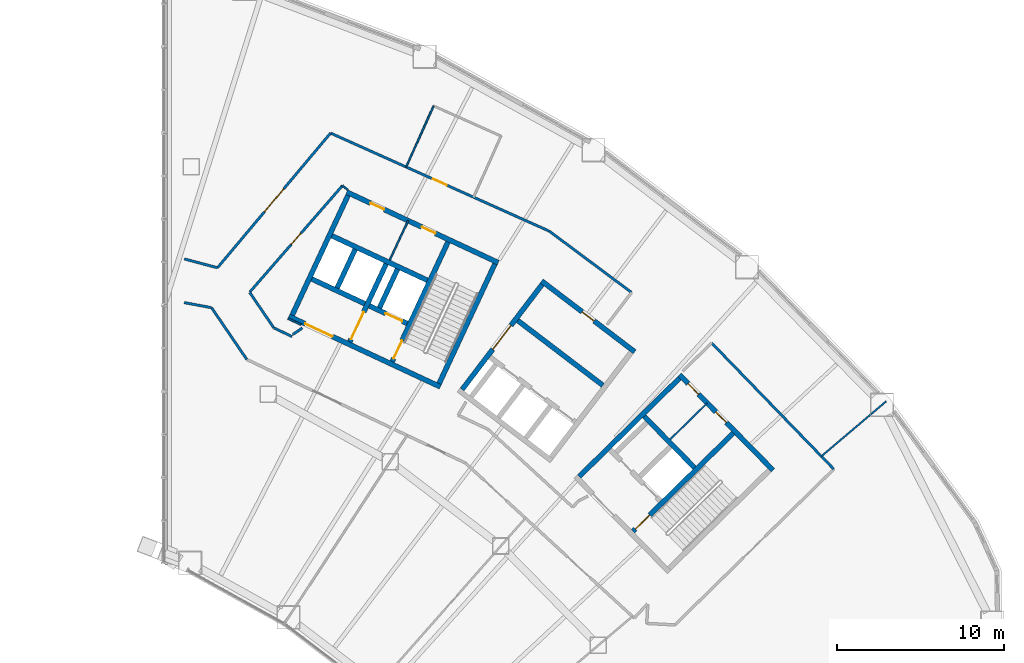
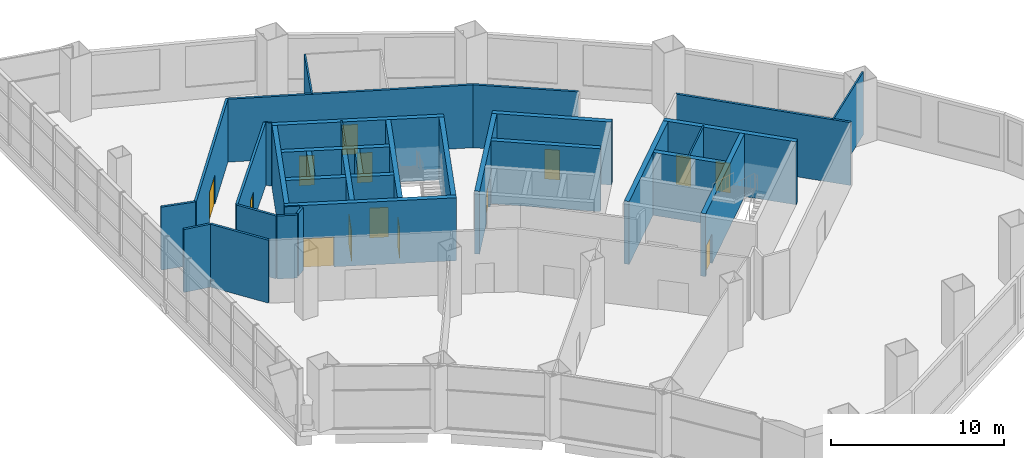
# One storey, part 22 of 26: 35 walls, 14 doors, 14 openings.
"""IFC4 building model written with IfcOpenShell, lengths in metres."""

from ifc_helpers import new_model, si_unit, direction, frame, frame_2d, origin, place, context, subcontext, project, spatial, rectangle, extrude, material, layer, layer_set, type_object, element, fill, save


model = new_model("IFC4")

# Units and contexts
model_context = context("Model", 3, precision=1e-05, world=origin(), true_north=direction((0.0, 1.0)))
body_context = subcontext(model_context, "Body", "Model", "MODEL_VIEW")
ifc_project = project(units=[si_unit("LENGTHUNIT", "METRE"), si_unit("AREAUNIT", "SQUARE_METRE"), si_unit("VOLUMEUNIT", "CUBIC_METRE"), si_unit("PLANEANGLEUNIT", "RADIAN"), si_unit("MASSUNIT", "GRAM", prefix="KILO")], contexts=[model_context])

# Site, building, storey
site_placement = place(None, origin())
site = spatial("IfcSite", under=ifc_project, at=site_placement, CompositionType="ELEMENT")
building_placement = place(site_placement, origin())
building = spatial("IfcBuilding", under=site, at=building_placement, Name="Tuul Gate Civic Tower", CompositionType="ELEMENT")
storey_placement = place(building_placement, frame((0.0, 0.0, 7.5)))
storey = spatial("IfcBuildingStorey", under=building, at=storey_placement, Name="Level 01", CompositionType="ELEMENT", Elevation=7.5)

# Wall
ifc_material_1 = material(Name="Concrete C50/60", Category="concrete")
ifc_layer_1 = layer(ifc_material_1, 0.300048828125)
ifc_layer_set_1 = layer_set([ifc_layer_1], Name="Concrete C50/60")
wall_type_1 = type_object("IfcWallType", Name="Core wall C50/60", PredefinedType="SHEAR", material=ifc_layer_set_1)
wall_1_placement = place(storey_placement, frame((49.737060546875, -12.0849609375, 0.0), z_axis=(0.0, 0.0, 1.0), x_axis=(-0.700002721075, 0.714140175657, 0.0)))
element("IfcWall", 1, at=wall_1_placement, inside=storey, type_object=wall_type_1, Name="Core wall", PredefinedType="SHEAR", context=body_context, shape_type="SweptSolid", body=[
    extrude(rectangle(XDim=4.300048828125, YDim=0.300048828125, at=frame_2d((2.14990234375, 0.0))), origin(), (0.0, 0.0, 1.0), 4.449951171875),
])

# Wall, openings, doors
wall_2_placement = place(storey_placement, frame((54.43798828125, -12.23779296875, 0.0), z_axis=(0.0, 0.0, 1.0), x_axis=(-0.700021979774, 0.714121297703, 0.0)))
wall_2 = element("IfcWall", 2, at=wall_2_placement, inside=storey, type_object=wall_type_1, Name="Core wall", PredefinedType="SHEAR", context=body_context, shape_type="SweptSolid", body=[
    extrude(rectangle(XDim=8.0, YDim=0.300048828125, at=frame_2d((4.0, 0.0))), origin(), (0.0, 0.0, 1.0), 4.449951171875),
])
opening_1_placement = place(wall_2_placement, frame((3.987548828125, 0.0, 0.0)))
opening_1 = element("IfcOpeningElement", 3, at=opening_1_placement, cuts=wall_2, Name="Opening QA-D23", PredefinedType="OPENING", context=body_context, shape_type="SweptSolid", body=[
    extrude(rectangle(XDim=0.89990234375, YDim=2.10009765625, at=frame_2d((0.449951171875, 1.050048828125))), frame((0.0, 0.16015625, 0.0), z_axis=(0.0, -1.0, 0.0), x_axis=(1.0, 0.0, 0.0)), (0.0, 0.0, 1.0), 0.320068359375),
])
opening_2_placement = place(wall_2_placement, frame((6.362548828125, 0.0, 0.0)))
opening_2 = element("IfcOpeningElement", 4, at=opening_2_placement, cuts=wall_2, Name="Opening QA-D24", PredefinedType="OPENING", context=body_context, shape_type="SweptSolid", body=[
    extrude(rectangle(XDim=0.89990234375, YDim=2.10009765625, at=frame_2d((0.449951171875, 1.050048828125))), frame((0.0, 0.16015625, 0.0), z_axis=(0.0, -1.0, 0.0), x_axis=(1.0, 0.0, 0.0)), (0.0, 0.0, 1.0), 0.320068359375),
])
ifc_material_2 = material(Name="Timber door leaf", Category="wood")
door_type_1 = type_object("IfcDoorType", Name="Door D09", OperationType="NOTDEFINED", PredefinedType="DOOR", material=ifc_material_2)
door_1_placement = place(opening_1_placement, origin())
door_1 = element("IfcDoor", 5, at=door_1_placement, inside=storey, type_object=door_type_1, Name="Door QA-D23", OperationType="SINGLE_SWING_LEFT", OverallHeight=2.10009765625, OverallWidth=0.89990234375, PredefinedType="DOOR", context=body_context, shape_type="SweptSolid", body=[
    extrude(rectangle(XDim=0.89990234375, YDim=2.10009765625, at=frame_2d((0.449951171875, 1.050048828125))), frame((0.0, 0.02490234375, 0.0), z_axis=(0.0, -1.0, 0.0), x_axis=(1.0, 0.0, 0.0)), (0.0, 0.0, 1.0), 0.050048828125),
])
fill(opening_1, door_1)
door_2_placement = place(opening_2_placement, origin())
door_2 = element("IfcDoor", 6, at=door_2_placement, inside=storey, type_object=door_type_1, Name="Door QA-D24", OperationType="SINGLE_SWING_LEFT", OverallHeight=2.10009765625, OverallWidth=0.89990234375, PredefinedType="DOOR", context=body_context, shape_type="SweptSolid", body=[
    extrude(rectangle(XDim=0.89990234375, YDim=2.10009765625, at=frame_2d((0.449951171875, 1.050048828125))), frame((0.0, 0.02490234375, 0.0), z_axis=(0.0, -1.0, 0.0), x_axis=(1.0, 0.0, 0.0)), (0.0, 0.0, 1.0), 0.050048828125),
])
fill(opening_2, door_2)

# Wall, opening, door
wall_3_placement = place(storey_placement, frame((46.05712890625, -15.902099609375, 0.0), z_axis=(0.0, 0.0, 1.0), x_axis=(0.714134086973, 0.700008932674, 0.0)))
wall_3 = element("IfcWall", 7, at=wall_3_placement, inside=storey, type_object=wall_type_1, Name="Core wall", PredefinedType="SHEAR", context=body_context, shape_type="SweptSolid", body=[
    extrude(rectangle(XDim=8.400146484375, YDim=0.300048828125, at=frame_2d((4.2001953125, 0.0))), origin(), (0.0, 0.0, 1.0), 4.449951171875),
])
opening_3_placement = place(wall_3_placement, frame((0.199951171875, 0.0, 0.0)))
opening_3 = element("IfcOpeningElement", 8, at=opening_3_placement, cuts=wall_3, Name="Opening SD-ST-3", PredefinedType="OPENING", context=body_context, shape_type="SweptSolid", body=[
    extrude(rectangle(XDim=1.199951171875, YDim=2.10009765625, at=frame_2d((0.60009765625, 1.050048828125))), frame((0.0, 0.16015625, 0.0), z_axis=(0.0, -1.0, 0.0), x_axis=(1.0, 0.0, 0.0)), (0.0, 0.0, 1.0), 0.320068359375),
])
ifc_material_3 = material(Name="Steel", Category="steel")
door_type_2 = type_object("IfcDoorType", Name="Stair door", OperationType="NOTDEFINED", PredefinedType="DOOR", material=ifc_material_3)
door_3_placement = place(opening_3_placement, origin())
door_3 = element("IfcDoor", 9, at=door_3_placement, inside=storey, type_object=door_type_2, Name="Stair door ST-3", OperationType="SINGLE_SWING_LEFT", OverallHeight=2.10009765625, OverallWidth=1.199951171875, PredefinedType="DOOR", context=body_context, shape_type="SweptSolid", body=[
    extrude(rectangle(XDim=1.199951171875, YDim=2.10009765625, at=frame_2d((0.60009765625, 1.050048828125))), frame((0.0, 0.02490234375, 0.0), z_axis=(0.0, -1.0, 0.0), x_axis=(1.0, 0.0, 0.0)), (0.0, 0.0, 1.0), 0.050048828125),
])
fill(opening_3, door_3)

# Wall
wall_4_placement = place(storey_placement, frame((42.837158203125, -12.616943359375, 0.0), z_axis=(0.0, 0.0, 1.0), x_axis=(0.714119844755, 0.700023461983, 0.0)))
element("IfcWall", 10, at=wall_4_placement, inside=storey, type_object=wall_type_1, Name="Core wall", PredefinedType="SHEAR", context=body_context, shape_type="SweptSolid", body=[
    extrude(rectangle(XDim=8.39990234375, YDim=0.300048828125, at=frame_2d((4.199951171875, 0.0))), origin(), (0.0, 0.0, 1.0), 4.449951171875),
])

# Wall, opening, door
wall_5_placement = place(storey_placement, frame((34.5283203125, -7.25, 0.0), z_axis=(0.0, 0.0, 1.0), x_axis=(-0.906310338845, 0.422612789327, 0.0)))
wall_5 = element("IfcWall", 11, at=wall_5_placement, inside=storey, type_object=wall_type_1, Name="Core wall", PredefinedType="SHEAR", context=body_context, shape_type="SweptSolid", body=[
    extrude(rectangle(XDim=9.999755859375, YDim=0.300048828125, at=frame_2d((5.0, 0.0))), origin(), (0.0, 0.0, 1.0), 4.449951171875),
])
opening_4_placement = place(wall_5_placement, frame((7.125, 0.0, 0.0)))
opening_4 = element("IfcOpeningElement", 12, at=opening_4_placement, cuts=wall_5, Name="Opening LB-E3-LOBBY-1", PredefinedType="OPENING", context=body_context, shape_type="SweptSolid", body=[
    extrude(rectangle(XDim=1.800048828125, YDim=2.10009765625, at=frame_2d((0.89990234375, 1.050048828125))), frame((0.0, 0.16015625, 0.0), z_axis=(0.0, -1.0, 0.0), x_axis=(1.0, 0.0, 0.0)), (0.0, 0.0, 1.0), 0.320068359375),
])
ifc_material_4 = material(Name="Steel", Category="steel")
door_type_3 = type_object("IfcDoorType", Name="Lobby door", OperationType="DOUBLE_DOOR_SINGLE_SWING", PredefinedType="DOOR", material=ifc_material_4)
door_4_placement = place(opening_4_placement, frame((1.800048828125, 0.0, 0.0), z_axis=(0.0, 0.0, 1.0), x_axis=(-1.0, 0.0, 0.0)))
door_4 = element("IfcDoor", 13, at=door_4_placement, inside=storey, type_object=door_type_3, Name="Lobby door E3-LOBBY", OperationType="DOUBLE_DOOR_SINGLE_SWING", OverallHeight=2.10009765625, OverallWidth=1.800048828125, PredefinedType="DOOR", context=body_context, shape_type="SweptSolid", body=[
    extrude(rectangle(XDim=1.800048828125, YDim=2.10009765625, at=frame_2d((0.900146484375, 1.050048828125))), frame((0.0, 0.02490234375, 0.0), z_axis=(0.0, -1.0, 0.0), x_axis=(1.0, 0.0, 0.0)), (0.0, 0.0, 1.0), 0.050048828125),
])
fill(opening_4, door_4)

wall_6_placement = place(storey_placement, frame((32.545654296875, -3.456787109375, 0.0), z_axis=(0.0, 0.0, 1.0), x_axis=(-0.906300357825, 0.42263419337, 0.0)))
wall_6 = element("IfcWall", 14, at=wall_6_placement, inside=storey, type_object=wall_type_1, Name="Core wall", PredefinedType="SHEAR", context=body_context, shape_type="SweptSolid", body=[
    extrude(rectangle(XDim=2.500244140625, YDim=0.300048828125, at=frame_2d((1.25, 0.0))), origin(), (0.0, 0.0, 1.0), 4.449951171875),
])
opening_5_placement = place(wall_6_placement, frame((0.324951171875, 0.0, 0.0)))
opening_5 = element("IfcOpeningElement", 15, at=opening_5_placement, cuts=wall_6, Name="Opening LD-FF-2", PredefinedType="OPENING", context=body_context, shape_type="SweptSolid", body=[
    extrude(rectangle(XDim=1.10009765625, YDim=2.10009765625, at=frame_2d((0.550048828125, 1.050048828125))), frame((0.0, 0.16015625, 0.0), z_axis=(0.0, -1.0, 0.0), x_axis=(1.0, 0.0, 0.0)), (0.0, 0.0, 1.0), 0.320068359375),
])
ifc_material_5 = material(Name="Stainless steel", Category="steel")
door_type_4 = type_object("IfcDoorType", Name="Landing door", OperationType="DOUBLE_DOOR_SLIDING", PredefinedType="DOOR", material=ifc_material_5)
door_5_placement = place(opening_5_placement, origin())
door_5 = element("IfcDoor", 16, at=door_5_placement, inside=storey, type_object=door_type_4, Name="Fire-fighting lift FF-2 landing door", OperationType="DOUBLE_DOOR_SLIDING", OverallHeight=2.10009765625, OverallWidth=1.10009765625, PredefinedType="DOOR", context=body_context, shape_type="SweptSolid", body=[
    extrude(rectangle(XDim=1.10009765625, YDim=2.10009765625, at=frame_2d((0.550048828125, 1.050048828125))), frame((0.0, 0.02490234375, 0.0), z_axis=(0.0, -1.0, 0.0), x_axis=(1.0, 0.0, 0.0)), (0.0, 0.0, 1.0), 0.050048828125),
])
fill(opening_5, door_5)

# Walls
wall_7_placement = place(storey_placement, frame((30.0078125, -2.2734375, 0.0), z_axis=(0.0, 0.0, 1.0), x_axis=(-0.90630071767, 0.422633421716, 0.0)))
element("IfcWall", 17, at=wall_7_placement, inside=storey, type_object=wall_type_1, Name="Core wall", PredefinedType="SHEAR", context=body_context, shape_type="SweptSolid", body=[
    extrude(rectangle(XDim=3.5, YDim=0.300048828125, at=frame_2d((1.75, 0.0))), origin(), (0.0, 0.0, 1.0), 4.449951171875),
])
wall_8_placement = place(storey_placement, frame((33.75, -0.873779296875, 0.0), z_axis=(0.0, 0.0, 1.0), x_axis=(-0.906300917592, 0.422632992999, 0.0)))
element("IfcWall", 18, at=wall_8_placement, inside=storey, type_object=wall_type_1, Name="Core wall", PredefinedType="SHEAR", context=body_context, shape_type="SweptSolid", body=[
    extrude(rectangle(XDim=6.300048828125, YDim=0.300048828125, at=frame_2d((3.14990234375, 0.0))), origin(), (0.0, 0.0, 1.0), 4.449951171875),
])

# Wall, openings, doors
wall_9_placement = place(storey_placement, frame((37.993408203125, 0.181884765625, 0.0), z_axis=(0.0, 0.0, 1.0), x_axis=(-0.906310338845, 0.422612789327, 0.0)))
wall_9 = element("IfcWall", 19, at=wall_9_placement, inside=storey, type_object=wall_type_1, Name="Core wall", PredefinedType="SHEAR", context=body_context, shape_type="SweptSolid", body=[
    extrude(rectangle(XDim=9.999755859375, YDim=0.300048828125, at=frame_2d((5.0, 0.0))), origin(), (0.0, 0.0, 1.0), 4.449951171875),
])
opening_6_placement = place(wall_9_placement, frame((4.14990234375, 0.0, 0.0)))
opening_6 = element("IfcOpeningElement", 20, at=opening_6_placement, cuts=wall_9, Name="Opening QA-D25", PredefinedType="OPENING", context=body_context, shape_type="SweptSolid", body=[
    extrude(rectangle(XDim=0.89990234375, YDim=2.10009765625, at=frame_2d((0.449951171875, 1.050048828125))), frame((0.0, 0.16015625, 0.0), z_axis=(0.0, -1.0, 0.0), x_axis=(1.0, 0.0, 0.0)), (0.0, 0.0, 1.0), 0.320068359375),
])
opening_7_placement = place(wall_9_placement, frame((7.52490234375, 0.0, 0.0)))
opening_7 = element("IfcOpeningElement", 21, at=opening_7_placement, cuts=wall_9, Name="Opening QA-D26", PredefinedType="OPENING", context=body_context, shape_type="SweptSolid", body=[
    extrude(rectangle(XDim=0.89990234375, YDim=2.10009765625, at=frame_2d((0.449951171875, 1.050048828125))), frame((0.0, 0.16015625, 0.0), z_axis=(0.0, -1.0, 0.0), x_axis=(1.0, 0.0, 0.0)), (0.0, 0.0, 1.0), 0.320068359375),
])
door_6_placement = place(opening_6_placement, origin())
door_6 = element("IfcDoor", 22, at=door_6_placement, inside=storey, type_object=door_type_1, Name="Door QA-D25", OperationType="SINGLE_SWING_LEFT", OverallHeight=2.10009765625, OverallWidth=0.89990234375, PredefinedType="DOOR", context=body_context, shape_type="SweptSolid", body=[
    extrude(rectangle(XDim=0.89990234375, YDim=2.10009765625, at=frame_2d((0.449951171875, 1.050048828125))), frame((0.0, 0.02490234375, 0.0), z_axis=(0.0, -1.0, 0.0), x_axis=(1.0, 0.0, 0.0)), (0.0, 0.0, 1.0), 0.050048828125),
])
fill(opening_6, door_6)
door_7_placement = place(opening_7_placement, origin())
door_7 = element("IfcDoor", 23, at=door_7_placement, inside=storey, type_object=door_type_1, Name="Door QA-D26", OperationType="SINGLE_SWING_RIGHT", OverallHeight=2.10009765625, OverallWidth=0.89990234375, PredefinedType="DOOR", context=body_context, shape_type="SweptSolid", body=[
    extrude(rectangle(XDim=0.89990234375, YDim=2.10009765625, at=frame_2d((0.449951171875, 1.050048828125))), frame((0.0, 0.02490234375, 0.0), z_axis=(0.0, -1.0, 0.0), x_axis=(1.0, 0.0, 0.0)), (0.0, 0.0, 1.0), 0.050048828125),
])
fill(opening_7, door_7)

# Wall
wall_10_placement = place(storey_placement, frame((34.455810546875, -7.05078125, 0.0), z_axis=(0.0, 0.0, 1.0), x_axis=(0.422570768258, 0.906329932096, 0.0)))
element("IfcWall", 24, at=wall_10_placement, inside=storey, type_object=wall_type_1, Name="Core wall", PredefinedType="SHEAR", context=body_context, shape_type="SweptSolid", body=[
    extrude(rectangle(XDim=7.900146484375, YDim=0.300048828125, at=frame_2d((3.9501953125, 0.0))), origin(), (0.0, 0.0, 1.0), 4.449951171875),
])

# Wall, opening, door
wall_11_placement = place(storey_placement, frame((31.646240234375, -5.740478515625, 0.0), z_axis=(0.0, 0.0, 1.0), x_axis=(0.422582604137, 0.906324413596, 0.0)))
wall_11 = element("IfcWall", 25, at=wall_11_placement, inside=storey, type_object=wall_type_1, Name="Core wall", PredefinedType="SHEAR", context=body_context, shape_type="SweptSolid", body=[
    extrude(rectangle(XDim=7.89990234375, YDim=0.300048828125, at=frame_2d((3.949951171875, 0.0))), origin(), (0.0, 0.0, 1.0), 4.449951171875),
])
opening_8_placement = place(wall_11_placement, frame((0.199951171875, 0.0, 0.0)))
opening_8 = element("IfcOpeningElement", 26, at=opening_8_placement, cuts=wall_11, Name="Opening SD-ST-4", PredefinedType="OPENING", context=body_context, shape_type="SweptSolid", body=[
    extrude(rectangle(XDim=1.199951171875, YDim=2.10009765625, at=frame_2d((0.60009765625, 1.050048828125))), frame((0.0, 0.16015625, 0.0), z_axis=(0.0, -1.0, 0.0), x_axis=(1.0, 0.0, 0.0)), (0.0, 0.0, 1.0), 0.320068359375),
])
door_8_placement = place(opening_8_placement, origin())
door_8 = element("IfcDoor", 27, at=door_8_placement, inside=storey, type_object=door_type_2, Name="Stair door ST-4", OperationType="SINGLE_SWING_LEFT", OverallHeight=2.10009765625, OverallWidth=1.199951171875, PredefinedType="DOOR", context=body_context, shape_type="SweptSolid", body=[
    extrude(rectangle(XDim=1.199951171875, YDim=2.10009765625, at=frame_2d((0.60009765625, 1.050048828125))), frame((0.0, 0.02490234375, 0.0), z_axis=(0.0, -1.0, 0.0), x_axis=(1.0, 0.0, 0.0)), (0.0, 0.0, 1.0), 0.050048828125),
])
fill(opening_8, door_8)

# Wall
wall_12_placement = place(storey_placement, frame((30.886962890625, -2.517822265625, 0.0), z_axis=(0.0, 0.0, 1.0), x_axis=(0.422612891016, 0.906310291427, 0.0)))
element("IfcWall", 28, at=wall_12_placement, inside=storey, type_object=wall_type_1, Name="Core wall", PredefinedType="SHEAR", context=body_context, shape_type="SweptSolid", body=[
    extrude(rectangle(XDim=2.550048828125, YDim=0.300048828125, at=frame_2d((1.27490234375, 0.0))), origin(), (0.0, 0.0, 1.0), 4.449951171875),
])

# Wall, opening, door
wall_13_placement = place(storey_placement, frame((29.108642578125, -4.557373046875, 0.0), z_axis=(0.0, 0.0, 1.0), x_axis=(0.422566235356, 0.90633204552, 0.0)))
wall_13 = element("IfcWall", 29, at=wall_13_placement, inside=storey, type_object=wall_type_1, Name="Core wall", PredefinedType="SHEAR", context=body_context, shape_type="SweptSolid", body=[
    extrude(rectangle(XDim=5.150146484375, YDim=0.300048828125, at=frame_2d((2.5751953125, 0.0))), origin(), (0.0, 0.0, 1.0), 4.449951171875),
])
opening_9_placement = place(wall_13_placement, frame((0.175048828125, 0.0, 0.0)))
opening_9 = element("IfcOpeningElement", 30, at=opening_9_placement, cuts=wall_13, Name="Opening LB-E3-FLOBBY-1", PredefinedType="OPENING", context=body_context, shape_type="SweptSolid", body=[
    extrude(rectangle(XDim=1.800048828125, YDim=2.10009765625, at=frame_2d((0.89990234375, 1.050048828125))), frame((0.0, 0.16015625, 0.0), z_axis=(0.0, -1.0, 0.0), x_axis=(1.0, 0.0, 0.0)), (0.0, 0.0, 1.0), 0.320068359375),
])
door_9_placement = place(opening_9_placement, frame((1.800048828125, 0.0, 0.0), z_axis=(0.0, 0.0, 1.0), x_axis=(-1.0, 0.0, 0.0)))
door_9 = element("IfcDoor", 31, at=door_9_placement, inside=storey, type_object=door_type_3, Name="Lobby door E3-FLOBBY", OperationType="DOUBLE_DOOR_SINGLE_SWING", OverallHeight=2.10009765625, OverallWidth=1.800048828125, PredefinedType="DOOR", context=body_context, shape_type="SweptSolid", body=[
    extrude(rectangle(XDim=1.800048828125, YDim=2.10009765625, at=frame_2d((0.900146484375, 1.050048828125))), frame((0.0, 0.02490234375, 0.0), z_axis=(0.0, -1.0, 0.0), x_axis=(1.0, 0.0, 0.0)), (0.0, 0.0, 1.0), 0.050048828125),
])
fill(opening_9, door_9)

# Walls
wall_14_placement = place(storey_placement, frame((28.349365234375, -1.33447265625, 0.0), z_axis=(0.0, 0.0, 1.0), x_axis=(0.422612891016, 0.906310291427, 0.0)))
element("IfcWall", 32, at=wall_14_placement, inside=storey, type_object=wall_type_1, Name="Core wall", PredefinedType="SHEAR", context=body_context, shape_type="SweptSolid", body=[
    extrude(rectangle(XDim=2.550048828125, YDim=0.300048828125, at=frame_2d((1.27490234375, 0.0))), origin(), (0.0, 0.0, 1.0), 4.449951171875),
])
wall_15_placement = place(storey_placement, frame((25.66455078125, -2.951416015625, 0.0), z_axis=(0.0, 0.0, 1.0), x_axis=(0.422582604137, 0.906324413596, 0.0)))
element("IfcWall", 33, at=wall_15_placement, inside=storey, type_object=wall_type_1, Name="Core wall", PredefinedType="SHEAR", context=body_context, shape_type="SweptSolid", body=[
    extrude(rectangle(XDim=7.89990234375, YDim=0.300048828125, at=frame_2d((3.949951171875, 0.0))), origin(), (0.0, 0.0, 1.0), 4.449951171875),
])

# Wall, opening, door
ifc_material_6 = material(Name="Gypsum board partition")
ifc_layer_2 = layer(ifc_material_6, 0.14990234375)
ifc_layer_set_2 = layer_set([ifc_layer_2], Name="Gypsum board partition")
wall_type_2 = type_object("IfcWallType", Name="Corridor wall P150", PredefinedType="PARTITIONING", material=ifc_layer_set_2)
wall_16_placement = place(storey_placement, frame((27.956298828125, 7.9365234375, 0.0), z_axis=(0.0, 0.0, 1.0), x_axis=(0.912540870016, -0.40898552609, 0.0)))
wall_16 = element("IfcWall", 34, at=wall_16_placement, inside=storey, type_object=wall_type_2, Name="p001", PredefinedType="PARTITIONING", context=body_context, shape_type="SweptSolid", body=[
    extrude(rectangle(XDim=14.34326171875, YDim=0.14990234375, at=frame_2d((7.171630859375, 0.0))), origin(), (0.0, 0.0, 1.0), 4.449951171875),
])
opening_10_placement = place(wall_16_placement, frame((6.7216796875, 0.0, 0.0)))
opening_10 = element("IfcOpeningElement", 35, at=opening_10_placement, cuts=wall_16, Name="Opening QA-D01", PredefinedType="OPENING", context=body_context, shape_type="SweptSolid", body=[
    extrude(rectangle(XDim=0.89990234375, YDim=2.10009765625, at=frame_2d((0.449951171875, 1.050048828125))), frame((0.0, 0.0849609375, 0.0), z_axis=(0.0, -1.0, 0.0), x_axis=(1.0, 0.0, 0.0)), (0.0, 0.0, 1.0), 0.169921875),
])
door_10_placement = place(opening_10_placement, origin())
door_10 = element("IfcDoor", 36, at=door_10_placement, inside=storey, type_object=door_type_1, Name="Door QA-D01", OperationType="SINGLE_SWING_RIGHT", OverallHeight=2.10009765625, OverallWidth=0.89990234375, PredefinedType="DOOR", context=body_context, shape_type="SweptSolid", body=[
    extrude(rectangle(XDim=0.89990234375, YDim=2.10009765625, at=frame_2d((0.449951171875, 1.050048828125))), frame((0.0, 0.02490234375, 0.0), z_axis=(0.0, -1.0, 0.0), x_axis=(1.0, 0.0, 0.0)), (0.0, 0.0, 1.0), 0.050048828125),
])
fill(opening_10, door_10)

# Walls
wall_17_placement = place(storey_placement, frame((19.200439453125, -2.20751953125, 0.0), z_axis=(0.0, 0.0, 1.0), x_axis=(0.983098571421, -0.183077029882, 0.0)))
element("IfcWall", 37, at=wall_17_placement, inside=storey, type_object=wall_type_2, Name="p021", PredefinedType="PARTITIONING", context=body_context, shape_type="SweptSolid", body=[
    extrude(rectangle(XDim=1.655029296875, YDim=0.14990234375, at=frame_2d((0.82763671875, 0.0))), origin(), (0.0, 0.0, 1.0), 4.449951171875),
])
wall_18_placement = place(storey_placement, frame((20.841064453125, -2.51953125, 0.0), z_axis=(0.0, 0.0, 1.0), x_axis=(0.562629620742, -0.826709084179, 0.0)))
element("IfcWall", 38, at=wall_18_placement, inside=storey, type_object=wall_type_2, Name="p022", PredefinedType="PARTITIONING", context=body_context, shape_type="SweptSolid", body=[
    extrude(rectangle(XDim=3.739501953125, YDim=0.14990234375, at=frame_2d((1.86962890625, 0.0))), origin(), (0.0, 0.0, 1.0), 4.449951171875),
])
wall_19_placement = place(storey_placement, frame((50.762451171875, -4.62060546875, 0.0), z_axis=(0.0, 0.0, 1.0), x_axis=(0.695588908905, -0.718440025199, 0.0)))
element("IfcWall", 39, at=wall_19_placement, inside=storey, type_object=wall_type_2, Name="p036", PredefinedType="PARTITIONING", context=body_context, shape_type="SweptSolid", body=[
    extrude(rectangle(XDim=10.512939453125, YDim=0.14990234375, at=frame_2d((5.25634765625, 0.0))), origin(), (0.0, 0.0, 1.0), 4.449951171875),
])
wall_20_placement = place(storey_placement, frame((25.700439453125, -4.117919921875, 0.0), z_axis=(0.0, 0.0, 1.0), x_axis=(0.823522379693, 0.567283782727, 0.0)))
element("IfcWall", 40, at=wall_20_placement, inside=storey, type_object=wall_type_2, Name="p038", PredefinedType="PARTITIONING", context=body_context, shape_type="SweptSolid", body=[
    extrude(rectangle(XDim=0.68603515625, YDim=0.14990234375, at=frame_2d((0.343017578125, 0.0))), origin(), (0.0, 0.0, 1.0), 4.449951171875),
])
wall_21_placement = place(storey_placement, frame((24.56787109375, -3.724609375, 0.0), z_axis=(0.0, 0.0, 1.0), x_axis=(0.903799806847, -0.427955499021, 0.0)))
element("IfcWall", 41, at=wall_21_placement, inside=storey, type_object=wall_type_2, Name="p040", PredefinedType="PARTITIONING", context=body_context, shape_type="SweptSolid", body=[
    extrude(rectangle(XDim=1.203125, YDim=0.14990234375, at=frame_2d((0.6015625, 0.0))), origin(), (0.0, 0.0, 1.0), 4.449951171875),
])
wall_22_placement = place(storey_placement, frame((23.12060546875, -1.603515625, 0.0), z_axis=(0.0, 0.0, 1.0), x_axis=(0.562652143598, -0.826693755453, 0.0)))
element("IfcWall", 42, at=wall_22_placement, inside=storey, type_object=wall_type_2, Name="p042", PredefinedType="PARTITIONING", context=body_context, shape_type="SweptSolid", body=[
    extrude(rectangle(XDim=2.556640625, YDim=0.14990234375, at=frame_2d((1.2783203125, 0.0))), origin(), (0.0, 0.0, 1.0), 4.449951171875),
])

# Wall, opening, door
wall_23_placement = place(storey_placement, frame((23.122314453125, -1.578369140625, 0.0), z_axis=(0.0, 0.0, 1.0), x_axis=(0.656598439768, 0.754240338946, 0.0)))
wall_23 = element("IfcWall", 43, at=wall_23_placement, inside=storey, type_object=wall_type_2, Name="p043", PredefinedType="PARTITIONING", context=body_context, shape_type="SweptSolid", body=[
    extrude(rectangle(XDim=8.451171875, YDim=0.14990234375, at=frame_2d((4.2255859375, 0.0))), origin(), (0.0, 0.0, 1.0), 4.449951171875),
])
opening_11_placement = place(wall_23_placement, frame((3.775634765625, 0.0, 0.0)))
opening_11 = element("IfcOpeningElement", 44, at=opening_11_placement, cuts=wall_23, Name="Opening QA-D11", PredefinedType="OPENING", context=body_context, shape_type="SweptSolid", body=[
    extrude(rectangle(XDim=0.89990234375, YDim=2.10009765625, at=frame_2d((0.449951171875, 1.050048828125))), frame((0.0, 0.0849609375, 0.0), z_axis=(0.0, -1.0, 0.0), x_axis=(1.0, 0.0, 0.0)), (0.0, 0.0, 1.0), 0.169921875),
])
door_11_placement = place(opening_11_placement, frame((0.89990234375, 0.0, 0.0), z_axis=(0.0, 0.0, 1.0), x_axis=(-1.0, 0.0, 0.0)))
door_11 = element("IfcDoor", 45, at=door_11_placement, inside=storey, type_object=door_type_1, Name="Door QA-D11", OperationType="SINGLE_SWING_LEFT", OverallHeight=2.10009765625, OverallWidth=0.89990234375, PredefinedType="DOOR", context=body_context, shape_type="SweptSolid", body=[
    extrude(rectangle(XDim=0.89990234375, YDim=2.10009765625, at=frame_2d((0.449951171875, 1.050048828125))), frame((0.0, 0.02490234375, 0.0), z_axis=(0.0, -1.0, 0.0), x_axis=(1.0, 0.0, 0.0)), (0.0, 0.0, 1.0), 0.050048828125),
])
fill(opening_11, door_11)

wall_24_placement = place(storey_placement, frame((21.189208984375, -0.12255859375, 0.0), z_axis=(0.0, 0.0, 1.0), x_axis=(0.643050613569, 0.7658236797, 0.0)))
wall_24 = element("IfcWall", 46, at=wall_24_placement, inside=storey, type_object=wall_type_2, Name="p052", PredefinedType="PARTITIONING", context=body_context, shape_type="SweptSolid", body=[
    extrude(rectangle(XDim=10.5234375, YDim=0.14990234375, at=frame_2d((5.26171875, 0.0))), origin(), (0.0, 0.0, 1.0), 4.449951171875),
])
opening_12_placement = place(wall_24_placement, frame((4.36181640625, 0.0, 0.0)))
opening_12 = element("IfcOpeningElement", 47, at=opening_12_placement, cuts=wall_24, Name="Opening QA-D13", PredefinedType="OPENING", context=body_context, shape_type="SweptSolid", body=[
    extrude(rectangle(XDim=1.800048828125, YDim=2.10009765625, at=frame_2d((0.89990234375, 1.050048828125))), frame((0.0, 0.0849609375, 0.0), z_axis=(0.0, -1.0, 0.0), x_axis=(1.0, 0.0, 0.0)), (0.0, 0.0, 1.0), 0.169921875),
])
ifc_material_7 = material(Name="Timber door leaf, double", Category="wood")
door_type_5 = type_object("IfcDoorType", Name="Door D18", OperationType="DOUBLE_DOOR_SINGLE_SWING", PredefinedType="DOOR", material=ifc_material_7)
door_12_placement = place(opening_12_placement, origin())
door_12 = element("IfcDoor", 48, at=door_12_placement, inside=storey, type_object=door_type_5, Name="Door QA-D13", OperationType="DOUBLE_DOOR_SINGLE_SWING", OverallHeight=2.10009765625, OverallWidth=1.800048828125, PredefinedType="DOOR", context=body_context, shape_type="SweptSolid", body=[
    extrude(rectangle(XDim=1.800048828125, YDim=2.10009765625, at=frame_2d((0.89990234375, 1.050048828125))), frame((0.0, 0.02490234375, 0.0), z_axis=(0.0, -1.0, 0.0), x_axis=(1.0, 0.0, 0.0)), (0.0, 0.0, 1.0), 0.050048828125),
])
fill(opening_12, door_12)

# Walls
wall_25_placement = place(storey_placement, frame((41.045166015625, 2.0703125, 0.0), z_axis=(0.0, 0.0, 1.0), x_axis=(0.801822356905, -0.597562472021, 0.0)))
element("IfcWall", 49, at=wall_25_placement, inside=storey, type_object=wall_type_2, Name="p053", PredefinedType="PARTITIONING", context=body_context, shape_type="SweptSolid", body=[
    extrude(rectangle(XDim=6.144775390625, YDim=0.14990234375, at=frame_2d((3.072265625, 0.0))), origin(), (0.0, 0.0, 1.0), 4.449951171875),
])
wall_26_placement = place(storey_placement, frame((19.199951171875, 0.40771484375, 0.0), z_axis=(0.0, 0.0, 1.0), x_axis=(0.966258554815, -0.257574077204, 0.0)))
element("IfcWall", 50, at=wall_26_placement, inside=storey, type_object=wall_type_2, Name="p061", PredefinedType="PARTITIONING", context=body_context, shape_type="SweptSolid", body=[
    extrude(rectangle(XDim=2.058837890625, YDim=0.14990234375, at=frame_2d((1.029296875, 0.0))), origin(), (0.0, 0.0, 1.0), 4.449951171875),
])
ifc_material_8 = material(Name="Concrete C40/50", Category="concrete")
ifc_layer_3 = layer(ifc_material_8, 0.300048828125)
ifc_layer_set_3 = layer_set([ifc_layer_3], Name="Concrete C40/50")
wall_type_3 = type_object("IfcWallType", Name="Lift shaft wall C40/50", PredefinedType="STANDARD", material=ifc_layer_set_3)
wall_27_placement = place(storey_placement, frame((44.254638671875, -7.15966796875, 0.0), z_axis=(0.0, 0.0, 1.0), x_axis=(-0.795565675562, 0.605867358312, 0.0)))
element("IfcWall", 51, at=wall_27_placement, inside=storey, type_object=wall_type_3, Name="Shaft wall", PredefinedType="STANDARD", context=body_context, shape_type="SweptSolid", body=[
    extrude(rectangle(XDim=6.400146484375, YDim=0.300048828125, at=frame_2d((3.2001953125, 0.0))), origin(), (0.0, 0.0, 1.0), 4.449951171875),
])

# Wall, opening, door
wall_28_placement = place(storey_placement, frame((46.1591796875, -5.1533203125, 0.0), z_axis=(0.0, 0.0, 1.0), x_axis=(-0.795579811045, 0.605848796531, 0.0)))
wall_28 = element("IfcWall", 52, at=wall_28_placement, inside=storey, type_object=wall_type_3, Name="Shaft wall", PredefinedType="STANDARD", context=body_context, shape_type="SweptSolid", body=[
    extrude(rectangle(XDim=7.0, YDim=0.300048828125, at=frame_2d((3.5, 0.0))), origin(), (0.0, 0.0, 1.0), 4.449951171875),
])
opening_13_placement = place(wall_28_placement, frame((3.050048828125, 0.0, 0.0)))
opening_13 = element("IfcOpeningElement", 53, at=opening_13_placement, cuts=wall_28, Name="Opening QA-D22", PredefinedType="OPENING", context=body_context, shape_type="SweptSolid", body=[
    extrude(rectangle(XDim=0.89990234375, YDim=2.10009765625, at=frame_2d((0.449951171875, 1.050048828125))), frame((0.0, 0.16015625, 0.0), z_axis=(0.0, -1.0, 0.0), x_axis=(1.0, 0.0, 0.0)), (0.0, 0.0, 1.0), 0.320068359375),
])
door_13_placement = place(opening_13_placement, origin())
door_13 = element("IfcDoor", 54, at=door_13_placement, inside=storey, type_object=door_type_1, Name="Door QA-D22", OperationType="SINGLE_SWING_LEFT", OverallHeight=2.10009765625, OverallWidth=0.89990234375, PredefinedType="DOOR", context=body_context, shape_type="SweptSolid", body=[
    extrude(rectangle(XDim=0.89990234375, YDim=2.10009765625, at=frame_2d((0.449951171875, 1.050048828125))), frame((0.0, 0.02490234375, 0.0), z_axis=(0.0, -1.0, 0.0), x_axis=(1.0, 0.0, 0.0)), (0.0, 0.0, 1.0), 0.050048828125),
])
fill(opening_13, door_13)

wall_29_placement = place(storey_placement, frame((35.8330078125, -7.408203125, 0.0), z_axis=(0.0, 0.0, 1.0), x_axis=(0.605769437763, 0.795640237967, 0.0)))
wall_29 = element("IfcWall", 55, at=wall_29_placement, inside=storey, type_object=wall_type_3, Name="Shaft wall", PredefinedType="STANDARD", context=body_context, shape_type="SweptSolid", body=[
    extrude(rectangle(XDim=7.900146484375, YDim=0.300048828125, at=frame_2d((3.9501953125, 0.0))), origin(), (0.0, 0.0, 1.0), 4.449951171875),
])
opening_14_placement = place(wall_29_placement, frame((3.02490234375, 0.0, 0.0)))
opening_14 = element("IfcOpeningElement", 56, at=opening_14_placement, cuts=wall_29, Name="Opening LB-E2-LOBBY-1", PredefinedType="OPENING", context=body_context, shape_type="SweptSolid", body=[
    extrude(rectangle(XDim=1.800048828125, YDim=2.10009765625, at=frame_2d((0.89990234375, 1.050048828125))), frame((0.0, 0.16015625, 0.0), z_axis=(0.0, -1.0, 0.0), x_axis=(1.0, 0.0, 0.0)), (0.0, 0.0, 1.0), 0.320068359375),
])
door_14_placement = place(opening_14_placement, frame((1.800048828125, 0.0, 0.0), z_axis=(0.0, 0.0, 1.0), x_axis=(-1.0, 0.0, 0.0)))
door_14 = element("IfcDoor", 57, at=door_14_placement, inside=storey, type_object=door_type_3, Name="Lobby door E2-LOBBY", OperationType="DOUBLE_DOOR_SINGLE_SWING", OverallHeight=2.10009765625, OverallWidth=1.800048828125, PredefinedType="DOOR", context=body_context, shape_type="SweptSolid", body=[
    extrude(rectangle(XDim=1.800048828125, YDim=2.10009765625, at=frame_2d((0.900146484375, 1.050048828125))), frame((0.0, 0.02490234375, 0.0), z_axis=(0.0, -1.0, 0.0), x_axis=(1.0, 0.0, 0.0)), (0.0, 0.0, 1.0), 0.050048828125),
])
fill(opening_14, door_14)

# Walls
ifc_material_9 = material(Name="Gypsum board partition")
ifc_layer_4 = layer(ifc_material_9, 0.10009765625)
ifc_layer_set_4 = layer_set([ifc_layer_4], Name="Gypsum board partition")
wall_type_4 = type_object("IfcWallType", Name="Partition P100", PredefinedType="PARTITIONING", material=ifc_layer_set_4)
wall_30_placement = place(storey_placement, frame((32.484130859375, 5.9072265625, 0.0), z_axis=(0.0, 0.0, 1.0), x_axis=(0.409017444451, 0.912526564071, 0.0)))
element("IfcWall", 58, at=wall_30_placement, inside=storey, type_object=wall_type_4, Name="p002", PredefinedType="PARTITIONING", context=body_context, shape_type="SweptSolid", body=[
    extrude(rectangle(XDim=4.010009765625, YDim=0.10009765625, at=frame_2d((2.0048828125, 0.0))), origin(), (0.0, 0.0, 1.0), 4.449951171875),
])
wall_31_placement = place(storey_placement, frame((57.330810546875, -11.404541015625, 0.0), z_axis=(0.0, 0.0, 1.0), x_axis=(0.762831031543, 0.646597879145, 0.0)))
element("IfcWall", 59, at=wall_31_placement, inside=storey, type_object=wall_type_4, Name="p017", PredefinedType="PARTITIONING", context=body_context, shape_type="SweptSolid", body=[
    extrude(rectangle(XDim=5.08935546875, YDim=0.10009765625, at=frame_2d((2.544677734375, 0.0))), origin(), (0.0, 0.0, 1.0), 4.449951171875),
])
wall_32_placement = place(storey_placement, frame((25.40185546875, -3.159912109375, 0.0), z_axis=(0.0, 0.0, 1.0), x_axis=(0.906374767234, -0.422474592516, 0.0)))
element("IfcWall", 60, at=wall_32_placement, inside=storey, type_object=wall_type_4, Name="p064", PredefinedType="PARTITIONING", context=body_context, shape_type="SweptSolid", body=[
    extrude(rectangle(XDim=0.87841796875, YDim=0.10009765625, at=frame_2d((0.439208984375, 0.0))), origin(), (0.0, 0.0, 1.0), 4.449951171875),
])
wall_33_placement = place(storey_placement, frame((28.67138671875, 4.7958984375, 0.0), z_axis=(0.0, 0.0, 1.0), x_axis=(0.78774403063, -0.616002712824, 0.0)))
element("IfcWall", 61, at=wall_33_placement, inside=storey, type_object=wall_type_4, Name="p069", PredefinedType="PARTITIONING", context=body_context, shape_type="SweptSolid", body=[
    extrude(rectangle(XDim=0.409423828125, YDim=0.10009765625, at=frame_2d((0.20458984375, 0.0))), origin(), (0.0, 0.0, 1.0), 4.449951171875),
])
wall_34_placement = place(storey_placement, frame((48.28662109375, -10.390869140625, 0.0), z_axis=(0.0, 0.0, 1.0), x_axis=(0.714159293908, 0.699983216173, 0.0)))
element("IfcWall", 62, at=wall_34_placement, inside=storey, type_object=wall_type_4, Name="bE1-BAND-0", PredefinedType="PARTITIONING", context=body_context, shape_type="SweptSolid", body=[
    extrude(rectangle(XDim=3.099853515625, YDim=0.10009765625, at=frame_2d((1.5498046875, 0.0))), origin(), (0.0, 0.0, 1.0), 4.449951171875),
])
wall_35_placement = place(storey_placement, frame((31.502197265625, 0.33984375, 0.0), z_axis=(0.0, 0.0, 1.0), x_axis=(0.422556439746, 0.906336612539, 0.0)))
element("IfcWall", 63, at=wall_35_placement, inside=storey, type_object=wall_type_4, Name="bE3-BAND-0", PredefinedType="PARTITIONING", context=body_context, shape_type="SweptSolid", body=[
    extrude(rectangle(XDim=2.599853515625, YDim=0.10009765625, at=frame_2d((1.2998046875, 0.0))), origin(), (0.0, 0.0, 1.0), 4.449951171875),
])

save(model, "model.ifc")
